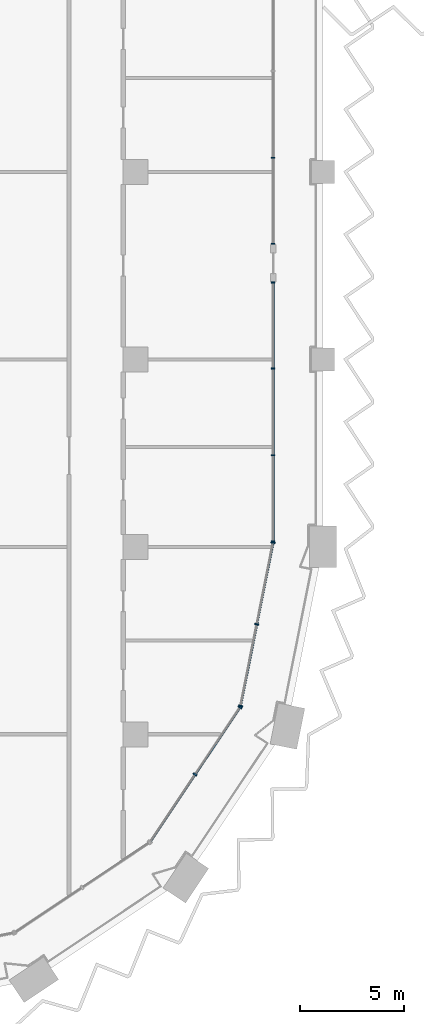
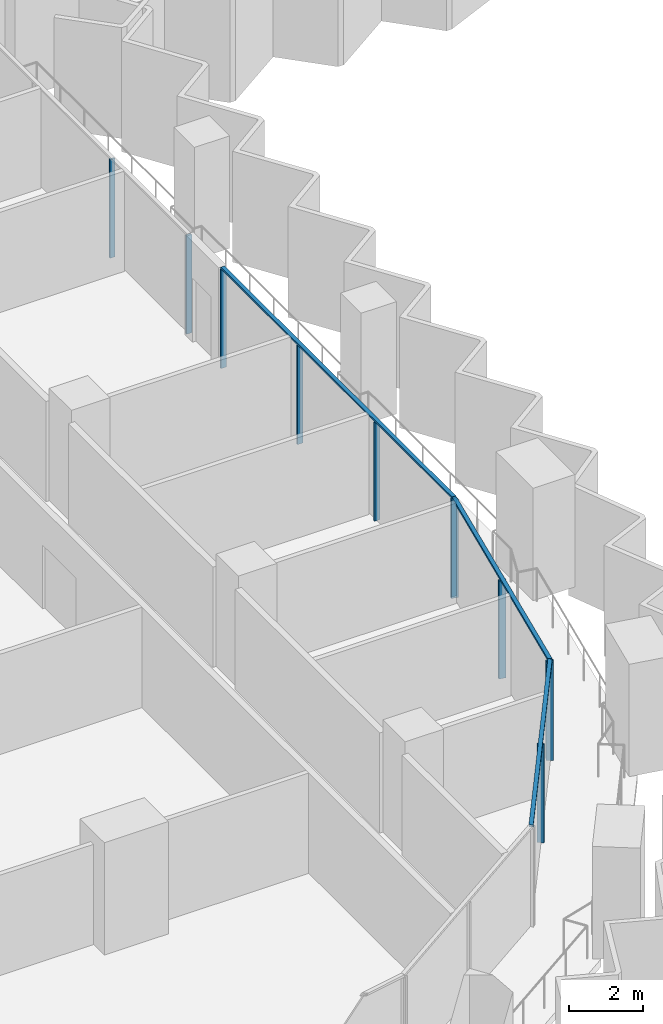
# One storey, part 3 of 22: 14 members, 4 elements without a shape of their own.
"""IFC4 building model written with IfcOpenShell, lengths in metres."""

from ifc_helpers import new_model, si_unit, direction, frame, origin, origin_2d, place, context, subcontext, project, spatial, rectangle, extrude, material, material_profile, profile_set, type_object, element, aggregate, save


model = new_model("IFC4")

# Units and contexts
model_context = context("Model", 3, precision=1e-05, world=origin(), true_north=direction((0.0, 1.0)))
body_context = subcontext(model_context, "Body", "Model", "MODEL_VIEW")
ifc_project = project(units=[si_unit("LENGTHUNIT", "METRE"), si_unit("AREAUNIT", "SQUARE_METRE"), si_unit("VOLUMEUNIT", "CUBIC_METRE"), si_unit("PLANEANGLEUNIT", "RADIAN"), si_unit("MASSUNIT", "GRAM", prefix="KILO")], contexts=[model_context])

# Site, building, storey
site_placement = place(None, origin())
site = spatial("IfcSite", under=ifc_project, at=site_placement, CompositionType="ELEMENT")
building_placement = place(site_placement, origin())
building = spatial("IfcBuilding", under=site, at=building_placement, Name="Hunhe Ridgeline Campus", CompositionType="ELEMENT")
storey_placement = place(building_placement, frame((0.0, 0.0, 133.800048828125)))
storey = spatial("IfcBuildingStorey", under=building, at=storey_placement, Name="L33", CompositionType="ELEMENT", Elevation=133.800048828125)

# Curtain wall, members
ifc_material = material(Name="Aluminium 6063", Category="aluminium")
curtain_wall_type_1 = type_object("IfcCurtainWallType", Name="Curtain wall CW-1", PredefinedType="NOTDEFINED", material=ifc_material)
curtain_wall_1_placement = place(storey_placement, origin())
curtain_wall_1 = element("IfcCurtainWall", 1, at=curtain_wall_1_placement, inside=storey, type_object=curtain_wall_type_1, Name="Curtain wall 11", PredefinedType="NOTDEFINED")
ifc_material_profile_1 = material_profile(ifc_material, rectangle(XDim=0.159912109375, YDim=0.06005859375, at=origin_2d()))
ifc_profile_set_1 = profile_set([ifc_material_profile_1], Name="Aluminium 6063")
member_type_1 = type_object("IfcMemberType", Name="CW-1 aluminium mullion", PredefinedType="MULLION", material=ifc_profile_set_1)
member_1_placement = place(storey_placement, frame((42.59912109375, 27.266357421875, 0.0), z_axis=(0.0, 0.0, 1.0), x_axis=(-0.99999999999, 4.406345e-06, 0.0)))
member_1 = element("IfcMember", 2, at=member_1_placement, type_object=member_type_1, Name="CW-1 mullion 1", PredefinedType="MULLION", context=body_context, shape_type="SweptSolid", body=[
    extrude(rectangle(XDim=0.159912109375, YDim=0.06005859375, at=origin_2d()), origin(), (0.0, 0.0, 1.0), 3.239990234375),
])
member_2_placement = place(storey_placement, frame((42.59912109375, 31.397216796875, 0.0), z_axis=(0.0, 0.0, 1.0), x_axis=(-0.99999999999, 4.406345e-06, 0.0)))
member_2 = element("IfcMember", 3, at=member_2_placement, type_object=member_type_1, Name="CW-1 mullion 2", PredefinedType="MULLION", context=body_context, shape_type="SweptSolid", body=[
    extrude(rectangle(XDim=0.159912109375, YDim=0.06005859375, at=origin_2d()), origin(), (0.0, 0.0, 1.0), 3.239990234375),
])
member_3_placement = place(storey_placement, frame((42.59912109375, 35.557861328125, 0.0), z_axis=(0.0, 0.0, 1.0), x_axis=(-0.99999999999, 4.406345e-06, 0.0)))
member_3 = element("IfcMember", 4, at=member_3_placement, type_object=member_type_1, Name="CW-1 mullion 3", PredefinedType="MULLION", context=body_context, shape_type="SweptSolid", body=[
    extrude(rectangle(XDim=0.159912109375, YDim=0.06005859375, at=origin_2d()), origin(), (0.0, 0.0, 1.0), 3.239990234375),
])
member_4_placement = place(storey_placement, frame((42.59912109375, 39.6884765625, 0.0), z_axis=(0.0, 0.0, 1.0), x_axis=(-0.99999999999, 4.406345e-06, 0.0)))
member_4 = element("IfcMember", 5, at=member_4_placement, type_object=member_type_1, Name="CW-1 mullion 4", PredefinedType="MULLION", context=body_context, shape_type="SweptSolid", body=[
    extrude(rectangle(XDim=0.159912109375, YDim=0.06005859375, at=origin_2d()), origin(), (0.0, 0.0, 1.0), 3.239990234375),
])

curtain_wall_2_placement = place(storey_placement, origin())
curtain_wall_2 = element("IfcCurtainWall", 6, at=curtain_wall_2_placement, inside=storey, type_object=curtain_wall_type_1, Name="Curtain wall 12", PredefinedType="NOTDEFINED")
member_5_placement = place(storey_placement, frame((42.59912109375, 41.548583984375, 0.0), z_axis=(0.0, 0.0, 1.0), x_axis=(-0.99999999999, 4.406345e-06, 0.0)))
member_5 = element("IfcMember", 7, at=member_5_placement, type_object=member_type_1, Name="CW-1 mullion 1", PredefinedType="MULLION", context=body_context, shape_type="SweptSolid", body=[
    extrude(rectangle(XDim=0.159912109375, YDim=0.06005859375, at=origin_2d()), origin(), (0.0, 0.0, 1.0), 3.239990234375),
])
member_6_placement = place(storey_placement, frame((42.59912109375, 45.67919921875, 0.0), z_axis=(0.0, 0.0, 1.0), x_axis=(-0.99999999999, 4.406345e-06, 0.0)))
member_6 = element("IfcMember", 8, at=member_6_placement, type_object=member_type_1, Name="CW-1 mullion 2", PredefinedType="MULLION", context=body_context, shape_type="SweptSolid", body=[
    extrude(rectangle(XDim=0.159912109375, YDim=0.06005859375, at=origin_2d()), origin(), (0.0, 0.0, 1.0), 3.239990234375),
])
aggregate(curtain_wall_2, [member_5, member_6])

# Member
ifc_material_profile_2 = material_profile(ifc_material, rectangle(XDim=0.1201171875, YDim=0.06005859375, at=origin_2d()))
ifc_profile_set_2 = profile_set([ifc_material_profile_2], Name="Aluminium 6063")
member_type_2 = type_object("IfcMemberType", Name="CW-1 aluminium transom", PredefinedType="USERDEFINED", material=ifc_profile_set_2)
member_7_placement = place(storey_placement, frame((42.59912109375, 27.236572265625, 3.27001953125), z_axis=(0.0, 1.0, 0.0), x_axis=(-1.0, 0.0, 0.0)))
member_7 = element("IfcMember", 9, at=member_7_placement, type_object=member_type_2, Name="CW-1 transom 1", ObjectType="TRANSOM", PredefinedType="USERDEFINED", context=body_context, shape_type="SweptSolid", body=[
    extrude(rectangle(XDim=0.1201171875, YDim=0.06005859375, at=origin_2d()), origin(), (0.0, 0.0, 1.0), 12.48193359375),
])

aggregate(curtain_wall_1, [member_7, member_1, member_2, member_3, member_4])

# Curtain wall, members
curtain_wall_type_2 = type_object("IfcCurtainWallType", Name="Curtain wall CW-5", PredefinedType="NOTDEFINED", material=ifc_material)
curtain_wall_3_placement = place(storey_placement, origin())
curtain_wall_3 = element("IfcCurtainWall", 10, at=curtain_wall_3_placement, inside=storey, type_object=curtain_wall_type_2, Name="Curtain wall 09", PredefinedType="NOTDEFINED")
ifc_material_profile_3 = material_profile(ifc_material, rectangle(XDim=0.199951171875, YDim=0.070068359375, at=origin_2d()))
ifc_profile_set_3 = profile_set([ifc_material_profile_3], Name="Aluminium 6063")
member_type_3 = type_object("IfcMemberType", Name="CW-5 aluminium mullion", PredefinedType="MULLION", material=ifc_profile_set_3)
member_8_placement = place(storey_placement, frame((38.852294921875, 16.07373046875, 0.0), z_axis=(0.0, 0.0, 1.0), x_axis=(-0.831469584522, 0.555570274596, 0.0)))
member_8 = element("IfcMember", 11, at=member_8_placement, type_object=member_type_3, Name="CW-5 mullion 2", PredefinedType="MULLION", context=body_context, shape_type="SweptSolid", body=[
    extrude(rectangle(XDim=0.199951171875, YDim=0.070068359375, at=origin_2d()), origin(), (0.0, 0.0, 1.0), 3.22998046875),
])
member_9_placement = place(storey_placement, frame((41.006103515625, 19.29736328125, 0.0), z_axis=(0.0, 0.0, 1.0), x_axis=(-0.831469584522, 0.555570274596, 0.0)))
member_9 = element("IfcMember", 12, at=member_9_placement, type_object=member_type_3, Name="CW-5 mullion 3", PredefinedType="MULLION", context=body_context, shape_type="SweptSolid", body=[
    extrude(rectangle(XDim=0.199951171875, YDim=0.070068359375, at=origin_2d()), origin(), (0.0, 0.0, 1.0), 3.22998046875),
])

curtain_wall_4_placement = place(storey_placement, origin())
curtain_wall_4 = element("IfcCurtainWall", 13, at=curtain_wall_4_placement, inside=storey, type_object=curtain_wall_type_2, Name="Curtain wall 10", PredefinedType="NOTDEFINED")
member_10_placement = place(storey_placement, frame((41.032470703125, 19.36083984375, 0.0), z_axis=(0.0, 0.0, 1.0), x_axis=(-0.980785284939, 0.195090299215, 0.0)))
member_10 = element("IfcMember", 14, at=member_10_placement, type_object=member_type_3, Name="CW-5 mullion 1", PredefinedType="MULLION", context=body_context, shape_type="SweptSolid", body=[
    extrude(rectangle(XDim=0.199951171875, YDim=0.070068359375, at=origin_2d()), origin(), (0.0, 0.0, 1.0), 3.22998046875),
])
member_11_placement = place(storey_placement, frame((41.812255859375, 23.281494140625, 0.0), z_axis=(0.0, 0.0, 1.0), x_axis=(-0.980785284939, 0.195090299215, 0.0)))
member_11 = element("IfcMember", 15, at=member_11_placement, type_object=member_type_3, Name="CW-5 mullion 2", PredefinedType="MULLION", context=body_context, shape_type="SweptSolid", body=[
    extrude(rectangle(XDim=0.199951171875, YDim=0.070068359375, at=origin_2d()), origin(), (0.0, 0.0, 1.0), 3.22998046875),
])
member_12_placement = place(storey_placement, frame((42.59228515625, 27.2021484375, 0.0), z_axis=(0.0, 0.0, 1.0), x_axis=(-0.980785284939, 0.195090299215, 0.0)))
member_12 = element("IfcMember", 16, at=member_12_placement, type_object=member_type_3, Name="CW-5 mullion 3", PredefinedType="MULLION", context=body_context, shape_type="SweptSolid", body=[
    extrude(rectangle(XDim=0.199951171875, YDim=0.070068359375, at=origin_2d()), origin(), (0.0, 0.0, 1.0), 3.22998046875),
])

# Member
ifc_material_profile_4 = material_profile(ifc_material, rectangle(XDim=0.1201171875, YDim=0.070068359375, at=origin_2d()))
ifc_profile_set_4 = profile_set([ifc_material_profile_4], Name="Aluminium 6063")
member_type_4 = type_object("IfcMemberType", Name="CW-5 aluminium transom", PredefinedType="USERDEFINED", material=ifc_profile_set_4)
member_13_placement = place(storey_placement, frame((36.678955078125, 12.821044921875, 3.264892578125), z_axis=(0.5555640203, 0.831473763475, 0.0), x_axis=(-0.831473763475, 0.5555640203, 0.0)))
member_13 = element("IfcMember", 17, at=member_13_placement, type_object=member_type_4, Name="CW-5 transom 1", ObjectType="TRANSOM", PredefinedType="USERDEFINED", context=body_context, shape_type="SweptSolid", body=[
    extrude(rectangle(XDim=0.1201171875, YDim=0.070068359375, at=origin_2d()), origin(), (0.0, 0.0, 1.0), 7.823974609375),
])

aggregate(curtain_wall_3, [member_13, member_8, member_9])

member_14_placement = place(storey_placement, frame((41.025634765625, 19.326416015625, 3.264892578125), z_axis=(0.195097290093, 0.980783894341, 0.0), x_axis=(-0.980783894341, 0.195097290093, 0.0)))
member_14 = element("IfcMember", 18, at=member_14_placement, type_object=member_type_4, Name="CW-5 transom 1", ObjectType="TRANSOM", PredefinedType="USERDEFINED", context=body_context, shape_type="SweptSolid", body=[
    extrude(rectangle(XDim=0.1201171875, YDim=0.070068359375, at=origin_2d()), origin(), (0.0, 0.0, 1.0), 8.065185546875),
])

aggregate(curtain_wall_4, [member_14, member_10, member_11, member_12])

save(model, "model.ifc")
